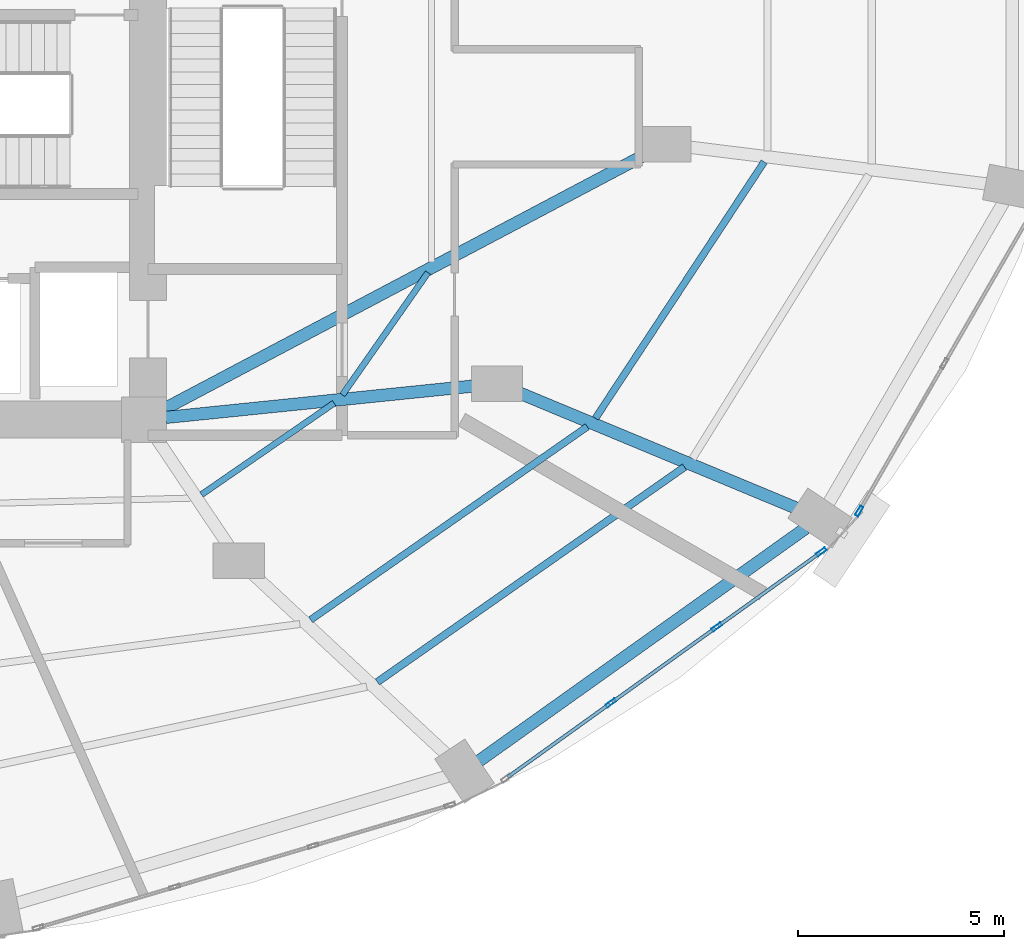
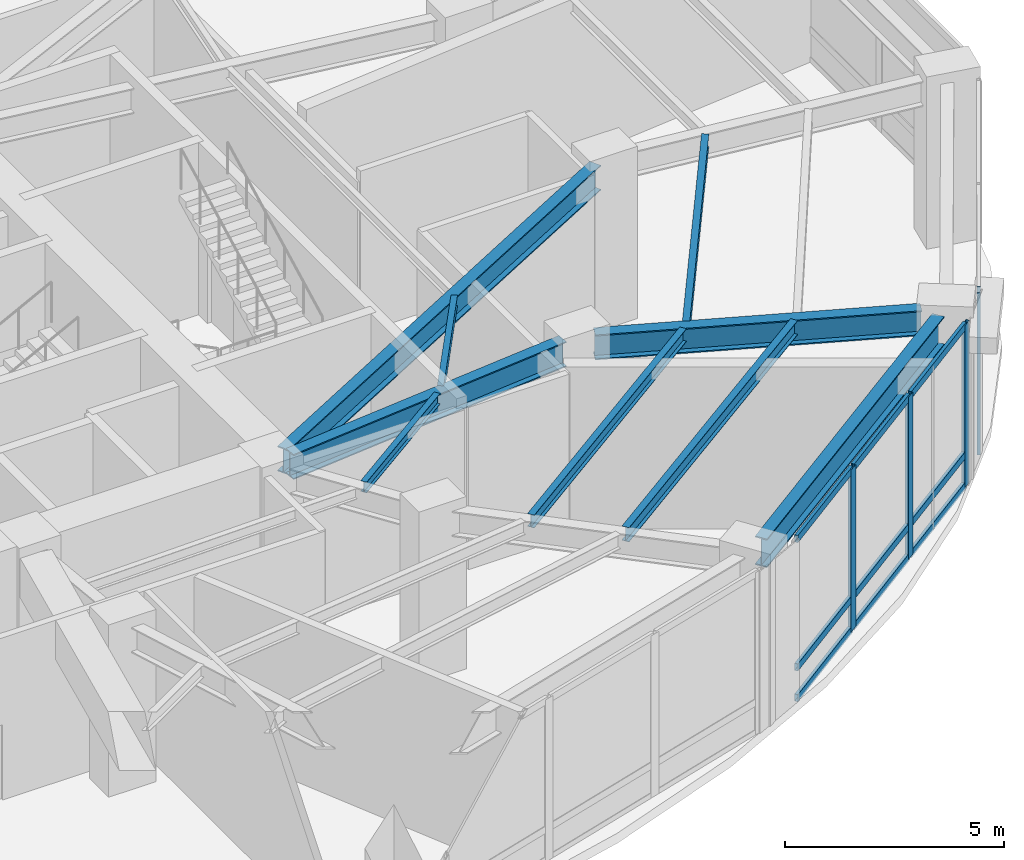
# One storey, part 11 of 24: 13 members, 9 beams, 2 elements without a shape of their own.
"""IFC4 building model written with IfcOpenShell, lengths in metres."""

from ifc_helpers import new_model, si_unit, direction, frame, origin, origin_2d, place, context, subcontext, project, spatial, hollow_rectangle, i_section, extrude, material, layer, layer_set, material_profile, profile_set, type_object, element, aggregate, save


model = new_model("IFC4")

# Units and contexts
model_context = context("Model", 3, precision=1e-05, world=origin(), true_north=direction((0.0, 1.0)))
body_context = subcontext(model_context, "Body", "Model", "MODEL_VIEW")
ifc_project = project(units=[si_unit("LENGTHUNIT", "METRE"), si_unit("AREAUNIT", "SQUARE_METRE"), si_unit("VOLUMEUNIT", "CUBIC_METRE"), si_unit("PLANEANGLEUNIT", "RADIAN"), si_unit("MASSUNIT", "GRAM", prefix="KILO")], contexts=[model_context])

# Site, building, storey
site_placement = place(None, origin())
site = spatial("IfcSite", under=ifc_project, at=site_placement, CompositionType="ELEMENT")
building_placement = place(site_placement, origin())
building = spatial("IfcBuilding", under=site, at=building_placement, Name="Lazwardi Medical Tower", CompositionType="ELEMENT")
storey_placement = place(building_placement, frame((0.0, 0.0, 10.800048828125)))
storey = spatial("IfcBuildingStorey", under=building, at=storey_placement, Name="L02", CompositionType="ELEMENT", Elevation=10.800048828125)

# Beams
ifc_material_1 = material(Name="Steel S355", Category="steel")
ifc_material_profile_1 = material_profile(ifc_material_1, i_section(OverallWidth=0.300048828125, OverallDepth=0.800048828125, WebThickness=0.017578125, FlangeThickness=0.032958984375, at=origin_2d()), Name="HEB 800")
ifc_profile_set_1 = profile_set([ifc_material_profile_1], Name="Steel S355")
beam_type_1 = type_object("IfcBeamType", Name="BM-RB-P1", PredefinedType="BEAM", material=ifc_profile_set_1)
beam_1_placement = place(storey_placement, frame((53.739501953125, 12.107666015625, 4.119873046875), z_axis=(0.814437186887, 0.580251728663, 0.0), x_axis=(-0.580251728663, 0.814437186887, 0.0)))
element("IfcBeam", 1, at=beam_1_placement, inside=storey, type_object=beam_type_1, Name="Ring beam RB-01 B02 L02", PredefinedType="BEAM", context=body_context, shape_type="SweptSolid", body=[
    extrude(i_section(OverallWidth=0.300048828125, OverallDepth=0.800048828125, WebThickness=0.017578125, FlangeThickness=0.032958984375, at=origin_2d()), origin(), (0.0, 0.0, 1.0), 9.743408203125),
])
ifc_material_profile_2 = material_profile(ifc_material_1, i_section(OverallWidth=0.300048828125, OverallDepth=0.699951171875, WebThickness=0.01708984375, FlangeThickness=0.031982421875, at=origin_2d()), Name="HEB 700")
ifc_profile_set_2 = profile_set([ifc_material_profile_2], Name="Steel S355")
beam_type_2 = type_object("IfcBeamType", Name="BM-RG-P1", PredefinedType="BEAM", material=ifc_profile_set_2)
beam_2_placement = place(storey_placement, frame((61.489501953125, 18.233642578125, 4.169921875), z_axis=(-0.923279462658, 0.38412892866, 0.0), x_axis=(-0.38412892866, -0.923279462658, 0.0)))
element("IfcBeam", 2, at=beam_2_placement, inside=storey, type_object=beam_type_2, Name="Radial girder RG-01 R03A L02", PredefinedType="BEAM", context=body_context, shape_type="SweptSolid", body=[
    extrude(i_section(OverallWidth=0.300048828125, OverallDepth=0.699951171875, WebThickness=0.01708984375, FlangeThickness=0.031982421875, at=origin_2d()), origin(), (0.0, 0.0, 1.0), 7.52001953125),
])
beam_3_placement = place(storey_placement, frame((53.779052734375, 21.2353515625, 4.169921875), z_axis=(-0.994824908551, -0.101604140299, 0.0), x_axis=(0.101604140299, -0.994824908551, 0.0)))
element("IfcBeam", 3, at=beam_3_placement, inside=storey, type_object=beam_type_2, Name="Radial girder RG-01 R03B L02", PredefinedType="BEAM", context=body_context, shape_type="SweptSolid", body=[
    extrude(i_section(OverallWidth=0.300048828125, OverallDepth=0.699951171875, WebThickness=0.01708984375, FlangeThickness=0.031982421875, at=origin_2d()), origin(), (0.0, 0.0, 1.0), 7.686767578125),
])
beam_4_placement = place(storey_placement, frame((57.909423828125, 26.906982421875, 4.169921875), z_axis=(-0.884073844977, -0.467347233466, 0.0), x_axis=(0.467347233466, -0.884073844977, 0.0)))
element("IfcBeam", 4, at=beam_4_placement, inside=storey, type_object=beam_type_2, Name="Radial girder RG-01 R04B L02", PredefinedType="BEAM", context=body_context, shape_type="SweptSolid", body=[
    extrude(i_section(OverallWidth=0.300048828125, OverallDepth=0.699951171875, WebThickness=0.01708984375, FlangeThickness=0.031982421875, at=origin_2d()), origin(), (0.0, 0.0, 1.0), 13.388427734375),
])
ifc_material_profile_3 = material_profile(ifc_material_1, i_section(OverallWidth=0.179931640625, OverallDepth=0.39990234375, WebThickness=0.008544921875, FlangeThickness=0.013427734375, at=origin_2d()), Name="IPE 400")
ifc_profile_set_3 = profile_set([ifc_material_profile_3], Name="Steel S355")
beam_type_3 = type_object("IfcBeamType", Name="BM-SJ-01", PredefinedType="JOIST", material=ifc_profile_set_3)
beam_5_placement = place(storey_placement, frame((51.27099609375, 14.025634765625, 4.320068359375), z_axis=(0.819249551022, 0.573437157106, 0.0), x_axis=(-0.573437157106, 0.819249551022, 0.0)))
element("IfcBeam", 5, at=beam_5_placement, inside=storey, type_object=beam_type_3, Name="Secondary joist SJ-01 RO1 B02 L02", PredefinedType="JOIST", context=body_context, shape_type="SweptSolid", body=[
    extrude(i_section(OverallWidth=0.179931640625, OverallDepth=0.39990234375, WebThickness=0.008544921875, FlangeThickness=0.013427734375, at=origin_2d()), origin(), (0.0, 0.0, 1.0), 9.107666015625),
])
ifc_material_profile_4 = material_profile(ifc_material_1, i_section(OverallWidth=0.169921875, OverallDepth=0.360107421875, WebThickness=0.008056640625, FlangeThickness=0.0126953125, at=origin_2d()), Name="IPE 360")
ifc_profile_set_4 = profile_set([ifc_material_profile_4], Name="Steel S355")
beam_type_4 = type_object("IfcBeamType", Name="BM-SJ-02", PredefinedType="JOIST", material=ifc_profile_set_4)
beam_6_placement = place(storey_placement, frame((49.6494140625, 15.536865234375, 4.33984375), z_axis=(0.819914041095, 0.572486650688, 0.0), x_axis=(-0.572486650688, 0.819914041095, 0.0)))
element("IfcBeam", 6, at=beam_6_placement, inside=storey, type_object=beam_type_4, Name="Secondary joist SJ-02 RO2 B02 L02", PredefinedType="JOIST", context=body_context, shape_type="SweptSolid", body=[
    extrude(i_section(OverallWidth=0.169921875, OverallDepth=0.360107421875, WebThickness=0.008056640625, FlangeThickness=0.0126953125, at=origin_2d()), origin(), (0.0, 0.0, 1.0), 8.19873046875),
])
beam_7_placement = place(storey_placement, frame((56.570068359375, 20.4345703125, 4.33984375), z_axis=(0.549697059584, 0.835364077924, 0.0), x_axis=(-0.835364077924, 0.549697059584, 0.0)))
element("IfcBeam", 7, at=beam_7_placement, inside=storey, type_object=beam_type_4, Name="Secondary joist SJ-02 RO2 B03 L02", PredefinedType="JOIST", context=body_context, shape_type="SweptSolid", body=[
    extrude(i_section(OverallWidth=0.169921875, OverallDepth=0.360107421875, WebThickness=0.008056640625, FlangeThickness=0.0126953125, at=origin_2d()), origin(), (0.0, 0.0, 1.0), 7.45849609375),
])
ifc_material_profile_5 = material_profile(ifc_material_1, i_section(OverallWidth=0.14990234375, OverallDepth=0.300048828125, WebThickness=0.007080078125, FlangeThickness=0.0107421875, at=origin_2d()), Name="IPE 300")
ifc_profile_set_5 = profile_set([ifc_material_profile_5], Name="Steel S355")
beam_type_5 = type_object("IfcBeamType", Name="BM-SJ-03", PredefinedType="JOIST", material=ifc_profile_set_5)
beam_8_placement = place(storey_placement, frame((46.9970703125, 18.5791015625, 4.369873046875), z_axis=(0.823125311201, 0.567859773237, 0.0), x_axis=(-0.567859773237, 0.823125311201, 0.0)))
element("IfcBeam", 8, at=beam_8_placement, inside=storey, type_object=beam_type_5, Name="Secondary joist SJ-03 RI1 B02 L02", PredefinedType="JOIST", context=body_context, shape_type="SweptSolid", body=[
    extrude(i_section(OverallWidth=0.14990234375, OverallDepth=0.300048828125, WebThickness=0.007080078125, FlangeThickness=0.0107421875, at=origin_2d()), origin(), (0.0, 0.0, 1.0), 3.91357421875),
])
beam_9_placement = place(storey_placement, frame((50.421142578125, 21.002685546875, 4.369873046875), z_axis=(0.573439745267, 0.819247739422, 0.0), x_axis=(-0.819247739422, 0.573439745267, 0.0)))
element("IfcBeam", 9, at=beam_9_placement, inside=storey, type_object=beam_type_5, Name="Secondary joist SJ-03 RI1 B03 L02", PredefinedType="JOIST", context=body_context, shape_type="SweptSolid", body=[
    extrude(i_section(OverallWidth=0.14990234375, OverallDepth=0.300048828125, WebThickness=0.007080078125, FlangeThickness=0.0107421875, at=origin_2d()), origin(), (0.0, 0.0, 1.0), 3.625244140625),
])

# Curtain wall, members
ifc_material_2 = material(Name="Anodised bronze aluminium and solar control glazing", Category="aluminium")
ifc_layer = layer(ifc_material_2, 0.219970703125)
ifc_layer_set = layer_set([ifc_layer], Name="Anodised bronze aluminium and solar control glazing")
curtain_wall_type = type_object("IfcCurtainWallType", Name="CW-SYS-01", PredefinedType="NOTDEFINED", material=ifc_layer_set)
curtain_wall_1_placement = place(storey_placement, origin())
curtain_wall_1 = element("IfcCurtainWall", 10, at=curtain_wall_1_placement, inside=storey, type_object=curtain_wall_type, Name="L02 Unitised bronze curtain wall CW-01", PredefinedType="NOTDEFINED")
ifc_material_3 = material(Name="Anodised bronze aluminium", Category="aluminium")
ifc_material_profile_6 = material_profile(ifc_material_3, hollow_rectangle(XDim=0.0849609375, YDim=0.260009765625, WallThickness=0.0048828125, at=origin_2d()), Name="ALU-MULLION 260x85x5")
ifc_profile_set_6 = profile_set([ifc_material_profile_6], Name="Anodised bronze aluminium")
member_type_1 = type_object("IfcMemberType", Name="CW-MUL-02", PredefinedType="MULLION", material=ifc_profile_set_6)
member_1_placement = place(storey_placement, frame((56.944580078125, 13.51513671875, 0.0), z_axis=(0.0, 0.0, 1.0), x_axis=(-0.583214260584, 0.812318365083, 0.0)))
member_1 = element("IfcMember", 11, at=member_1_placement, type_object=member_type_1, Name="CW-01 mullion 2", PredefinedType="MULLION", context=body_context, shape_type="SweptSolid", body=[
    extrude(hollow_rectangle(XDim=0.0849609375, YDim=0.260009765625, WallThickness=0.0048828125, at=origin_2d()), origin(), (0.0, 0.0, 1.0), 4.52001953125),
])
member_2_placement = place(storey_placement, frame((59.517822265625, 15.36279296875, 0.0), z_axis=(0.0, 0.0, 1.0), x_axis=(-0.583214260584, 0.812318365083, 0.0)))
member_2 = element("IfcMember", 12, at=member_2_placement, type_object=member_type_1, Name="CW-01 mullion 3", PredefinedType="MULLION", context=body_context, shape_type="SweptSolid", body=[
    extrude(hollow_rectangle(XDim=0.0849609375, YDim=0.260009765625, WallThickness=0.0048828125, at=origin_2d()), origin(), (0.0, 0.0, 1.0), 4.52001953125),
])
member_3_placement = place(storey_placement, frame((62.056640625, 17.185546875, 0.0), z_axis=(0.0, 0.0, 1.0), x_axis=(-0.583214260584, 0.812318365083, 0.0)))
member_3 = element("IfcMember", 13, at=member_3_placement, type_object=member_type_1, Name="CW-01 mullion 4", PredefinedType="MULLION", context=body_context, shape_type="SweptSolid", body=[
    extrude(hollow_rectangle(XDim=0.0849609375, YDim=0.260009765625, WallThickness=0.0048828125, at=origin_2d()), origin(), (0.0, 0.0, 1.0), 4.52001953125),
])

# Curtain wall, member
curtain_wall_2_placement = place(storey_placement, origin())
curtain_wall_2 = element("IfcCurtainWall", 14, at=curtain_wall_2_placement, inside=storey, type_object=curtain_wall_type, Name="L02 Unitised bronze curtain wall CW-01", PredefinedType="NOTDEFINED")
member_4_placement = place(storey_placement, frame((62.978759765625, 18.177978515625, 0.0), z_axis=(0.0, 0.0, 1.0), x_axis=(-0.866180607783, 0.499731082384, 0.0)))
member_4 = element("IfcMember", 15, at=member_4_placement, type_object=member_type_1, Name="CW-01 mullion 1", PredefinedType="MULLION", context=body_context, shape_type="SweptSolid", body=[
    extrude(hollow_rectangle(XDim=0.0849609375, YDim=0.260009765625, WallThickness=0.0048828125, at=origin_2d()), origin(), (0.0, 0.0, 1.0), 4.52001953125),
])
aggregate(curtain_wall_2, [member_4])

# Member
ifc_material_profile_7 = material_profile(ifc_material_3, hollow_rectangle(XDim=0.0849609375, YDim=0.199951171875, WallThickness=0.00439453125, at=origin_2d()), Name="ALU-TRANSOM 200x85x4.5")
ifc_profile_set_7 = profile_set([ifc_material_profile_7], Name="Anodised bronze aluminium")
member_type_2 = type_object("IfcMemberType", Name="CW-TRN-02", PredefinedType="USERDEFINED", material=ifc_profile_set_7)
member_5_placement = place(storey_placement, frame((54.440185546875, 11.71728515625, 0.04248046875), z_axis=(0.812314954496, 0.583219010924, 0.0), x_axis=(-0.583219010924, 0.812314954496, 0.0)))
member_5 = element("IfcMember", 16, at=member_5_placement, type_object=member_type_2, Name="CW-01 transom 1.1", ObjectType="TRANSOM", PredefinedType="USERDEFINED", context=body_context, shape_type="SweptSolid", body=[
    extrude(hollow_rectangle(XDim=0.0849609375, YDim=0.199951171875, WallThickness=0.00439453125, at=origin_2d()), origin(), (0.0, 0.0, 1.0), 3.040283203125),
])

member_6_placement = place(storey_placement, frame((54.440185546875, 11.71728515625, 0.89990234375), z_axis=(0.812314954496, 0.583219010924, 0.0), x_axis=(-0.583219010924, 0.812314954496, 0.0)))
member_6 = element("IfcMember", 17, at=member_6_placement, type_object=member_type_2, Name="CW-01 transom 1.2", ObjectType="TRANSOM", PredefinedType="USERDEFINED", context=body_context, shape_type="SweptSolid", body=[
    extrude(hollow_rectangle(XDim=0.0849609375, YDim=0.199951171875, WallThickness=0.00439453125, at=origin_2d()), origin(), (0.0, 0.0, 1.0), 3.040283203125),
])

member_7_placement = place(storey_placement, frame((54.440185546875, 11.71728515625, 4.4775390625), z_axis=(0.812314954496, 0.583219010924, 0.0), x_axis=(-0.583219010924, 0.812314954496, 0.0)))
member_7 = element("IfcMember", 18, at=member_7_placement, type_object=member_type_2, Name="CW-01 transom 1.3", ObjectType="TRANSOM", PredefinedType="USERDEFINED", context=body_context, shape_type="SweptSolid", body=[
    extrude(hollow_rectangle(XDim=0.0849609375, YDim=0.199951171875, WallThickness=0.00439453125, at=origin_2d()), origin(), (0.0, 0.0, 1.0), 3.040283203125),
])

member_8_placement = place(storey_placement, frame((56.97900390625, 13.5400390625, 0.04248046875), z_axis=(0.812350668283, 0.583169265085, 0.0), x_axis=(-0.583169265085, 0.812350668283, 0.0)))
member_8 = element("IfcMember", 19, at=member_8_placement, type_object=member_type_2, Name="CW-01 transom 2.1", ObjectType="TRANSOM", PredefinedType="USERDEFINED", context=body_context, shape_type="SweptSolid", body=[
    extrude(hollow_rectangle(XDim=0.0849609375, YDim=0.199951171875, WallThickness=0.00439453125, at=origin_2d()), origin(), (0.0, 0.0, 1.0), 3.0830078125),
])

member_9_placement = place(storey_placement, frame((56.97900390625, 13.5400390625, 0.89990234375), z_axis=(0.812350668283, 0.583169265085, 0.0), x_axis=(-0.583169265085, 0.812350668283, 0.0)))
member_9 = element("IfcMember", 20, at=member_9_placement, type_object=member_type_2, Name="CW-01 transom 2.2", ObjectType="TRANSOM", PredefinedType="USERDEFINED", context=body_context, shape_type="SweptSolid", body=[
    extrude(hollow_rectangle(XDim=0.0849609375, YDim=0.199951171875, WallThickness=0.00439453125, at=origin_2d()), origin(), (0.0, 0.0, 1.0), 3.0830078125),
])

member_10_placement = place(storey_placement, frame((56.97900390625, 13.5400390625, 4.4775390625), z_axis=(0.812350668283, 0.583169265085, 0.0), x_axis=(-0.583169265085, 0.812350668283, 0.0)))
member_10 = element("IfcMember", 21, at=member_10_placement, type_object=member_type_2, Name="CW-01 transom 2.3", ObjectType="TRANSOM", PredefinedType="USERDEFINED", context=body_context, shape_type="SweptSolid", body=[
    extrude(hollow_rectangle(XDim=0.0849609375, YDim=0.199951171875, WallThickness=0.00439453125, at=origin_2d()), origin(), (0.0, 0.0, 1.0), 3.0830078125),
])

member_11_placement = place(storey_placement, frame((59.55224609375, 15.387451171875, 0.04248046875), z_axis=(0.812314954496, 0.583219010924, 0.0), x_axis=(-0.583219010924, 0.812314954496, 0.0)))
member_11 = element("IfcMember", 22, at=member_11_placement, type_object=member_type_2, Name="CW-01 transom 3.1", ObjectType="TRANSOM", PredefinedType="USERDEFINED", context=body_context, shape_type="SweptSolid", body=[
    extrude(hollow_rectangle(XDim=0.0849609375, YDim=0.199951171875, WallThickness=0.00439453125, at=origin_2d()), origin(), (0.0, 0.0, 1.0), 3.040283203125),
])

member_12_placement = place(storey_placement, frame((59.55224609375, 15.387451171875, 0.89990234375), z_axis=(0.812314954496, 0.583219010924, 0.0), x_axis=(-0.583219010924, 0.812314954496, 0.0)))
member_12 = element("IfcMember", 23, at=member_12_placement, type_object=member_type_2, Name="CW-01 transom 3.2", ObjectType="TRANSOM", PredefinedType="USERDEFINED", context=body_context, shape_type="SweptSolid", body=[
    extrude(hollow_rectangle(XDim=0.0849609375, YDim=0.199951171875, WallThickness=0.00439453125, at=origin_2d()), origin(), (0.0, 0.0, 1.0), 3.040283203125),
])

member_13_placement = place(storey_placement, frame((59.55224609375, 15.387451171875, 4.4775390625), z_axis=(0.812314954496, 0.583219010924, 0.0), x_axis=(-0.583219010924, 0.812314954496, 0.0)))
member_13 = element("IfcMember", 24, at=member_13_placement, type_object=member_type_2, Name="CW-01 transom 3.3", ObjectType="TRANSOM", PredefinedType="USERDEFINED", context=body_context, shape_type="SweptSolid", body=[
    extrude(hollow_rectangle(XDim=0.0849609375, YDim=0.199951171875, WallThickness=0.00439453125, at=origin_2d()), origin(), (0.0, 0.0, 1.0), 3.040283203125),
])

aggregate(curtain_wall_1, [member_1, member_2, member_3, member_5, member_6, member_7, member_8, member_9, member_10, member_11, member_12, member_13])

save(model, "model.ifc")
